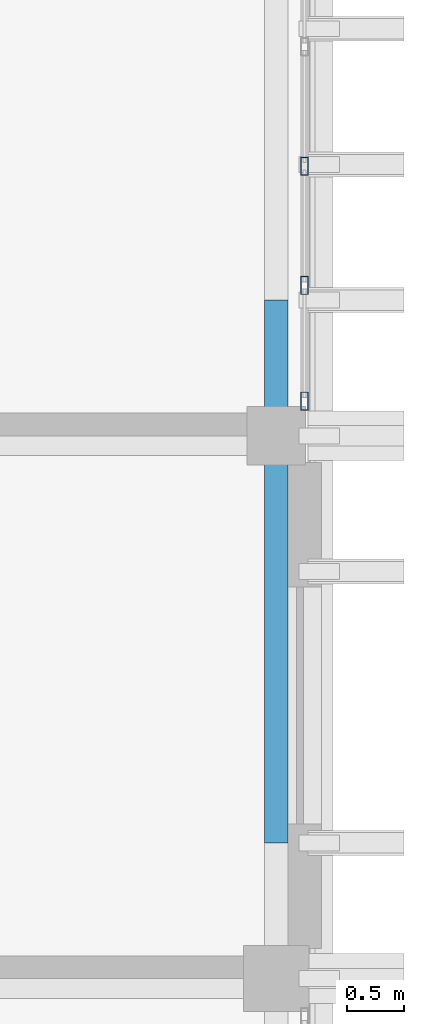
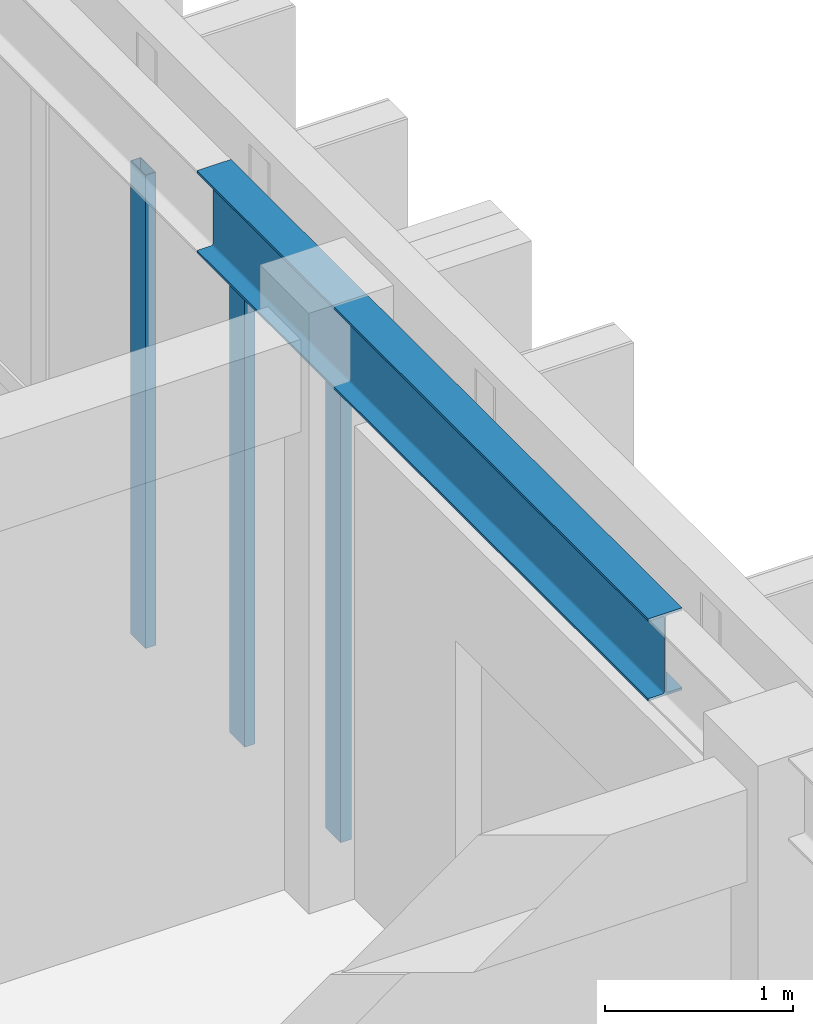
# One storey, part 26 of 49: 3 members, 1 beam, 1 element without a shape of its own.
"""IFC4 building model written with IfcOpenShell, lengths in metres."""

from ifc_helpers import new_model, si_unit, direction, frame, origin, origin_2d, place, context, subcontext, project, spatial, hollow_rectangle, i_section, extrude, material, layer, layer_set, material_profile, profile_set, type_object, element, aggregate, save


model = new_model("IFC4")

# Units and contexts
model_context = context("Model", 3, precision=1e-05, world=origin(), true_north=direction((0.0, 1.0)))
body_context = subcontext(model_context, "Body", "Model", "MODEL_VIEW")
ifc_project = project(units=[si_unit("LENGTHUNIT", "METRE"), si_unit("AREAUNIT", "SQUARE_METRE"), si_unit("VOLUMEUNIT", "CUBIC_METRE"), si_unit("PLANEANGLEUNIT", "RADIAN"), si_unit("MASSUNIT", "GRAM", prefix="KILO")], contexts=[model_context])

# Site, building, storey
site_placement = place(None, origin())
site = spatial("IfcSite", under=ifc_project, at=site_placement, CompositionType="ELEMENT")
building_placement = place(site_placement, origin())
building = spatial("IfcBuilding", under=site, at=building_placement, Name="Nakhvara Creek Congress Hotel", CompositionType="ELEMENT")
storey_placement = place(building_placement, frame((0.0, 0.0, 46.5)))
storey = spatial("IfcBuildingStorey", under=building, at=storey_placement, Name="L11", CompositionType="ELEMENT", Elevation=46.5)

# Beam
ifc_material_1 = material(Name="Steel S355J2", Category="steel")
ifc_material_profile_1 = material_profile(ifc_material_1, i_section(OverallWidth=0.209228515625, OverallDepth=0.533203125, WebThickness=0.010009765625, FlangeThickness=0.015625, FilletRadius=0.0126953125, at=origin_2d()), Name="UB 533x210x92", Category="LoadBearing")
ifc_profile_set_1 = profile_set([ifc_material_profile_1], Name="Steel S355J2")
beam_type = type_object("IfcBeamType", Name="BM-ST-UB533", PredefinedType="BEAM", material=ifc_profile_set_1)
beam_placement = place(storey_placement, frame((179.35009765625, 106.800048828125, 3.6201171875), z_axis=(0.0, 1.0, 0.0), x_axis=(-1.0, 0.0, 0.0)))
element("IfcBeam", 1, at=beam_placement, inside=storey, type_object=beam_type, Name="Hotel Gable Eave Beam E-08", PredefinedType="BEAM", context=body_context, shape_type="SweptSolid", body=[
    extrude(i_section(OverallWidth=0.209228515625, OverallDepth=0.533203125, WebThickness=0.010009765625, FlangeThickness=0.015625, FilletRadius=0.0126953125, at=origin_2d()), origin(), (0.0, 0.0, 1.0), 4.800048828125),
])

# Curtain wall, members
ifc_material_2 = material(Name="Bronze-anodised aluminium AW-6063-T6 and double-silver low-E glass", Category="aluminium")
ifc_layer = layer(ifc_material_2, 0.199951171875)
ifc_layer_set = layer_set([ifc_layer], Name="Bronze-anodised aluminium AW-6063-T6 and double-silver low-E glass")
curtain_wall_type = type_object("IfcCurtainWallType", Name="CW-HTL-UNIT", PredefinedType="USERDEFINED", material=ifc_layer_set)
curtain_wall_placement = place(storey_placement, origin())
curtain_wall = element("IfcCurtainWall", 2, at=curtain_wall_placement, inside=storey, type_object=curtain_wall_type, Name="Curtain Wall CW344", ObjectType="UNITISED", PredefinedType="USERDEFINED")
ifc_material_3 = material(Name="Bronze-anodised aluminium AW-6063-T6", Category="aluminium")
ifc_material_profile_2 = material_profile(ifc_material_3, hollow_rectangle(XDim=0.06494140625, YDim=0.159912109375, WallThickness=0.00390625, at=origin_2d()), Name="ALU-MULL 65x160x4", Category="LoadBearing")
ifc_profile_set_2 = profile_set([ifc_material_profile_2], Name="Bronze-anodised aluminium AW-6063-T6")
member_type = type_object("IfcMemberType", Name="CW-MULL-160", PredefinedType="MULLION", material=ifc_profile_set_2)
member_1_placement = place(storey_placement, frame((179.60009765625, 112.784912109375, 0.0), z_axis=(0.0, 0.0, 1.0), x_axis=(1.0, 0.0, 0.0)))
member_1 = element("IfcMember", 3, at=member_1_placement, type_object=member_type, Name="CW344 mullion 3", PredefinedType="MULLION", context=body_context, shape_type="SweptSolid", body=[
    extrude(hollow_rectangle(XDim=0.06494140625, YDim=0.159912109375, WallThickness=0.00390625, at=origin_2d()), origin(), (0.0, 0.0, 1.0), 3.072021484375),
])
member_2_placement = place(storey_placement, frame((179.60009765625, 111.72998046875, 0.0), z_axis=(0.0, 0.0, 1.0), x_axis=(1.0, 0.0, 0.0)))
member_2 = element("IfcMember", 4, at=member_2_placement, type_object=member_type, Name="CW344 mullion 4", PredefinedType="MULLION", context=body_context, shape_type="SweptSolid", body=[
    extrude(hollow_rectangle(XDim=0.06494140625, YDim=0.159912109375, WallThickness=0.00390625, at=origin_2d()), origin(), (0.0, 0.0, 1.0), 3.072021484375),
])
member_3_placement = place(storey_placement, frame((179.60009765625, 110.70751953125, 0.0), z_axis=(0.0, 0.0, 1.0), x_axis=(1.0, 0.0, 0.0)))
member_3 = element("IfcMember", 5, at=member_3_placement, type_object=member_type, Name="CW344 mullion 5", PredefinedType="MULLION", context=body_context, shape_type="SweptSolid", body=[
    extrude(hollow_rectangle(XDim=0.06494140625, YDim=0.159912109375, WallThickness=0.00390625, at=origin_2d()), origin(), (0.0, 0.0, 1.0), 3.072021484375),
])
aggregate(curtain_wall, [member_1, member_2, member_3])

save(model, "model.ifc")
